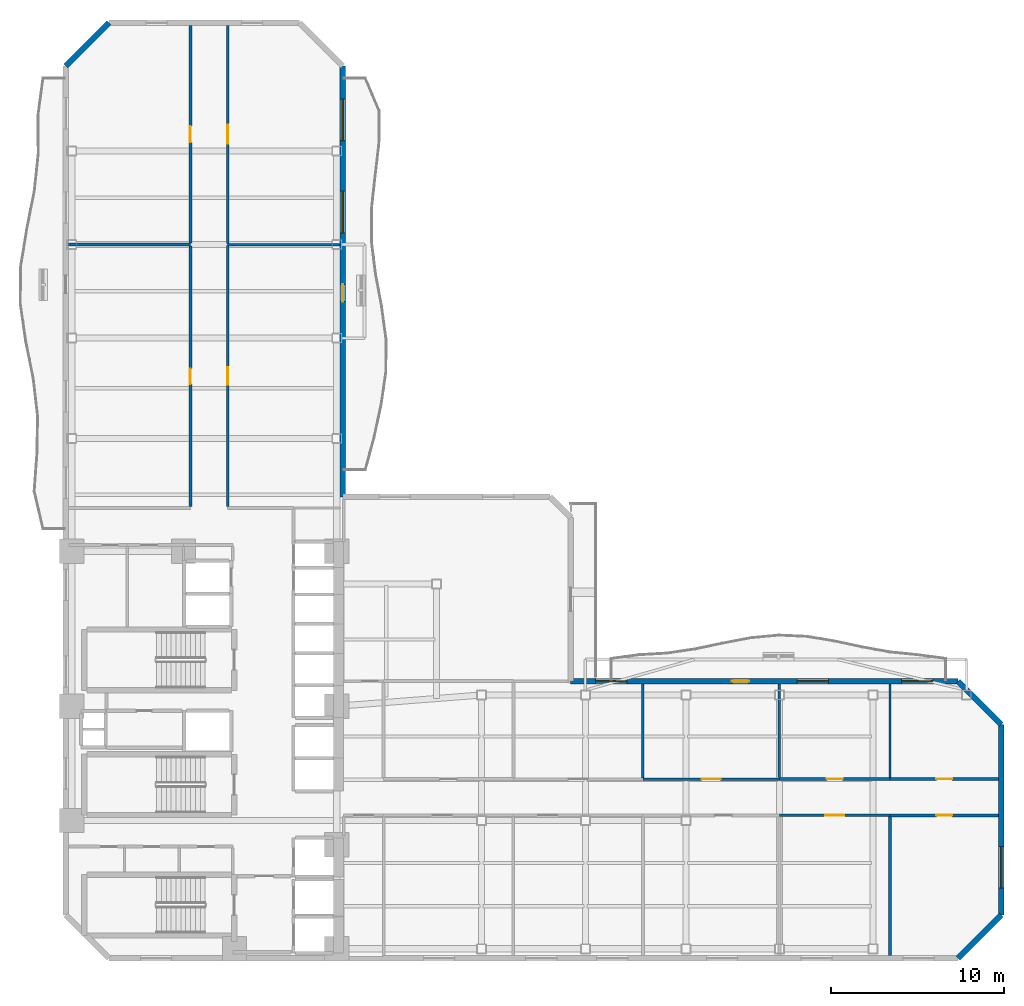
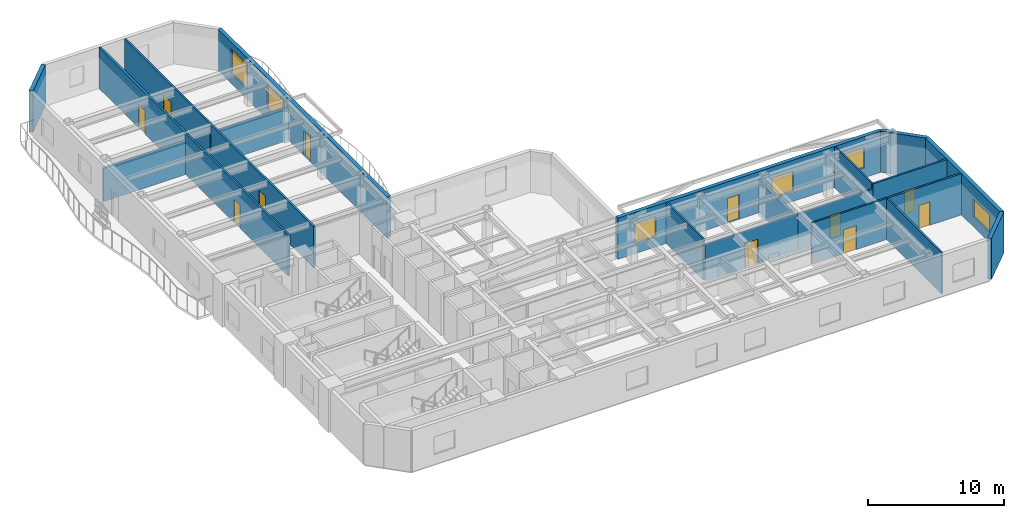
# One storey, part 6 of 10: 21 walls, 11 doors, 6 windows, 17 openings.
"""IFC4 building model written with IfcOpenShell, lengths in metres."""

from ifc_helpers import new_model, si_unit, direction, frame, frame_2d, origin, place, context, subcontext, project, spatial, rectangle, extrude, material, layer, layer_set, type_object, element, fill, save


model = new_model("IFC4")

# Units and contexts
model_context = context("Model", 3, precision=1e-05, world=origin(), true_north=direction((0.0, 1.0)))
body_context = subcontext(model_context, "Body", "Model", "MODEL_VIEW")
ifc_project = project(units=[si_unit("LENGTHUNIT", "METRE"), si_unit("AREAUNIT", "SQUARE_METRE"), si_unit("VOLUMEUNIT", "CUBIC_METRE"), si_unit("PLANEANGLEUNIT", "RADIAN"), si_unit("MASSUNIT", "GRAM", prefix="KILO")], contexts=[model_context])

# Site, building, storey
site_placement = place(None, origin())
site = spatial("IfcSite", under=ifc_project, at=site_placement, CompositionType="ELEMENT")
building_placement = place(site_placement, origin())
building = spatial("IfcBuilding", under=site, at=building_placement, Name="Mawjaban Terraces University", CompositionType="ELEMENT")
storey_placement = place(building_placement, frame((0.0, 0.0, 62.199951171875)))
storey = spatial("IfcBuildingStorey", under=building, at=storey_placement, Name="L14", CompositionType="ELEMENT", Elevation=62.199951171875)

# Wall
ifc_material_1 = material(Name="Acoustic masonry blockwork", Category="masonry")
ifc_layer_1 = layer(ifc_material_1, 0.179931640625)
ifc_layer_set_1 = layer_set([ifc_layer_1], Name="Acoustic masonry blockwork")
wall_type_1 = type_object("IfcWallType", Name="AcousticStudioWall_180", PredefinedType="PARTITIONING", material=ifc_layer_set_1)
wall_1_placement = place(storey_placement, frame((29.199951171875, 41.199951171875, 0.0), z_axis=(0.0, 0.0, 1.0), x_axis=(-1.0, 0.0, 0.0)))
element("IfcWall", 1, at=wall_1_placement, inside=storey, type_object=wall_type_1, Name="L14 Departmental Office 12 Partition 10", PredefinedType="PARTITIONING", context=body_context, shape_type="SweptSolid", body=[
    extrude(rectangle(XDim=7.044921875, YDim=0.179931640625, at=frame_2d((3.5224609375, 0.0))), origin(), (0.0, 0.0, 1.0), 2.9951171875),
])

# Wall, opening, door
wall_2_placement = place(storey_placement, frame((29.199951171875, 53.844970703125, 0.0), z_axis=(0.0, 0.0, 1.0), x_axis=(0.0, -1.0, 0.0)))
wall_2 = element("IfcWall", 2, at=wall_2_placement, inside=storey, type_object=wall_type_1, Name="L14 North Academic Spine Corridor Partition 36", PredefinedType="PARTITIONING", context=body_context, shape_type="SweptSolid", body=[
    extrude(rectangle(XDim=12.56005859375, YDim=0.179931640625, at=frame_2d((6.280029296875, 0.0))), origin(), (0.0, 0.0, 1.0), 3.68994140625),
])
opening_1_placement = place(wall_2_placement, frame((5.804931640625, 0.0, 0.0)))
opening_1 = element("IfcOpeningElement", 3, at=opening_1_placement, cuts=wall_2, Name="Opening ID-095", PredefinedType="OPENING", context=body_context, shape_type="SweptSolid", body=[
    extrude(rectangle(XDim=0.949951171875, YDim=2.10009765625, at=frame_2d((0.47509765625, 1.050048828125))), frame((0.0, 0.099853515625, 0.0), z_axis=(0.0, -1.0, 0.0), x_axis=(1.0, 0.0, 0.0)), (0.0, 0.0, 1.0), 0.199951171875),
])
ifc_material_2 = material(Name="Powder-coated steel frame and solid acoustic timber leaf", Category="steel")
door_type_1 = type_object("IfcDoorType", Name="StudioDoor_950x2100", OperationType="NOTDEFINED", PredefinedType="DOOR", material=ifc_material_2)
door_1_placement = place(opening_1_placement, origin())
door_1 = element("IfcDoor", 4, at=door_1_placement, inside=storey, type_object=door_type_1, Name="L14 Design Studio 14 Door", OperationType="SINGLE_SWING_RIGHT", OverallHeight=2.10009765625, OverallWidth=0.949951171875, PredefinedType="DOOR", context=body_context, shape_type="SweptSolid", body=[
    extrude(rectangle(XDim=0.949951171875, YDim=2.10009765625, at=frame_2d((0.47509765625, 1.050048828125))), frame((0.0, 0.02490234375, 0.0), z_axis=(0.0, -1.0, 0.0), x_axis=(1.0, 0.0, 0.0)), (0.0, 0.0, 1.0), 0.050048828125),
])
fill(opening_1, door_1)

ifc_material_3 = material(Name="Fire-rated gypsum board on steel stud", Category="steel")
ifc_layer_2 = layer(ifc_material_3, 0.159912109375)
ifc_layer_set_2 = layer_set([ifc_layer_2], Name="Fire-rated gypsum board on steel stud")
wall_type_2 = type_object("IfcWallType", Name="CorridorPartition_160", PredefinedType="PARTITIONING", material=ifc_layer_set_2)
wall_3_placement = place(storey_placement, frame((69.580078125, 8.25, 0.0), z_axis=(0.0, 0.0, 1.0), x_axis=(1.0, 0.0, 0.0)))
wall_3 = element("IfcWall", 5, at=wall_3_placement, inside=storey, type_object=wall_type_2, Name="L14 East Academic Spine Corridor Partition 27", PredefinedType="PARTITIONING", context=body_context, shape_type="SweptSolid", body=[
    extrude(rectangle(XDim=6.264892578125, YDim=0.159912109375, at=frame_2d((3.13232421875, 0.0))), origin(), (0.0, 0.0, 1.0), 3.68994140625),
])
opening_2_placement = place(wall_3_placement, frame((2.68310546875, 0.0, 0.0)))
opening_2 = element("IfcOpeningElement", 6, at=opening_2_placement, cuts=wall_3, Name="Opening ID-090", PredefinedType="OPENING", context=body_context, shape_type="SweptSolid", body=[
    extrude(rectangle(XDim=0.89990234375, YDim=2.10009765625, at=frame_2d((0.449951171875, 1.050048828125))), frame((0.0, 0.08984375, 0.0), z_axis=(0.0, -1.0, 0.0), x_axis=(1.0, 0.0, 0.0)), (0.0, 0.0, 1.0), 0.179931640625),
])
door_type_2 = type_object("IfcDoorType", Name="OfficeDoor_900x2100", OperationType="NOTDEFINED", PredefinedType="DOOR", material=ifc_material_2)
door_2_placement = place(opening_2_placement, origin())
door_2 = element("IfcDoor", 7, at=door_2_placement, inside=storey, type_object=door_type_2, Name="L14 Student Tea Pantry 10 Door", OperationType="SINGLE_SWING_RIGHT", OverallHeight=2.10009765625, OverallWidth=0.89990234375, PredefinedType="DOOR", context=body_context, shape_type="SweptSolid", body=[
    extrude(rectangle(XDim=0.89990234375, YDim=2.10009765625, at=frame_2d((0.449951171875, 1.050048828125))), frame((0.0, 0.02490234375, 0.0), z_axis=(0.0, -1.0, 0.0), x_axis=(1.0, 0.0, 0.0)), (0.0, 0.0, 1.0), 0.050048828125),
])
fill(opening_2, door_2)

wall_4_placement = place(storey_placement, frame((69.580078125, 10.35009765625, 0.0), z_axis=(0.0, 0.0, 1.0), x_axis=(-1.0, 0.0, 0.0)))
wall_4 = element("IfcWall", 8, at=wall_4_placement, inside=storey, type_object=wall_type_2, Name="L14 East Academic Spine Corridor Partition 28", PredefinedType="PARTITIONING", context=body_context, shape_type="SweptSolid", body=[
    extrude(rectangle(XDim=6.380126953125, YDim=0.159912109375, at=frame_2d((3.18994140625, 0.0))), origin(), (0.0, 0.0, 1.0), 3.22705078125),
])
opening_3_placement = place(wall_4_placement, frame((2.739990234375, 0.0, 0.0)))
opening_3 = element("IfcOpeningElement", 9, at=opening_3_placement, cuts=wall_4, Name="Opening ID-090", PredefinedType="OPENING", context=body_context, shape_type="SweptSolid", body=[
    extrude(rectangle(XDim=0.89990234375, YDim=2.10009765625, at=frame_2d((0.449951171875, 1.050048828125))), frame((0.0, 0.08984375, 0.0), z_axis=(0.0, -1.0, 0.0), x_axis=(1.0, 0.0, 0.0)), (0.0, 0.0, 1.0), 0.179931640625),
])
door_3_placement = place(opening_3_placement, origin())
door_3 = element("IfcDoor", 10, at=door_3_placement, inside=storey, type_object=door_type_2, Name="L14 Student Tea Pantry 9 Door", OperationType="SINGLE_SWING_LEFT", OverallHeight=2.10009765625, OverallWidth=0.89990234375, PredefinedType="DOOR", context=body_context, shape_type="SweptSolid", body=[
    extrude(rectangle(XDim=0.89990234375, YDim=2.10009765625, at=frame_2d((0.449951171875, 1.050048828125))), frame((0.0, 0.02490234375, 0.0), z_axis=(0.0, -1.0, 0.0), x_axis=(1.0, 0.0, 0.0)), (0.0, 0.0, 1.0), 0.050048828125),
])
fill(opening_3, door_3)

wall_5_placement = place(storey_placement, frame((75.844970703125, 10.35009765625, 0.0), z_axis=(0.0, 0.0, 1.0), x_axis=(-1.0, 0.0, 0.0)))
wall_5 = element("IfcWall", 11, at=wall_5_placement, inside=storey, type_object=wall_type_2, Name="L14 East Academic Spine Corridor Partition 29", PredefinedType="PARTITIONING", context=body_context, shape_type="SweptSolid", body=[
    extrude(rectangle(XDim=6.264892578125, YDim=0.159912109375, at=frame_2d((3.13232421875, 0.0))), origin(), (0.0, 0.0, 1.0), 3.68994140625),
])
opening_4_placement = place(wall_5_placement, frame((2.68310546875, 0.0, 0.0)))
opening_4 = element("IfcOpeningElement", 12, at=opening_4_placement, cuts=wall_5, Name="Opening ID-090", PredefinedType="OPENING", context=body_context, shape_type="SweptSolid", body=[
    extrude(rectangle(XDim=0.89990234375, YDim=2.10009765625, at=frame_2d((0.449951171875, 1.050048828125))), frame((0.0, 0.08984375, 0.0), z_axis=(0.0, -1.0, 0.0), x_axis=(1.0, 0.0, 0.0)), (0.0, 0.0, 1.0), 0.179931640625),
])
door_4_placement = place(opening_4_placement, origin())
door_4 = element("IfcDoor", 13, at=door_4_placement, inside=storey, type_object=door_type_2, Name="L14 Faculty Office 11 Door", OperationType="SINGLE_SWING_LEFT", OverallHeight=2.10009765625, OverallWidth=0.89990234375, PredefinedType="DOOR", context=body_context, shape_type="SweptSolid", body=[
    extrude(rectangle(XDim=0.89990234375, YDim=2.10009765625, at=frame_2d((0.449951171875, 1.050048828125))), frame((0.0, 0.02490234375, 0.0), z_axis=(0.0, -1.0, 0.0), x_axis=(1.0, 0.0, 0.0)), (0.0, 0.0, 1.0), 0.050048828125),
])
fill(opening_4, door_4)

wall_6_placement = place(storey_placement, frame((29.199951171875, 41.114990234375, 0.0), z_axis=(0.0, 0.0, 1.0), x_axis=(0.0, -1.0, 0.0)))
wall_6 = element("IfcWall", 14, at=wall_6_placement, inside=storey, type_object=wall_type_2, Name="L14 North Academic Spine Corridor Partition 35", PredefinedType="PARTITIONING", context=body_context, shape_type="SweptSolid", body=[
    extrude(rectangle(XDim=15.0400390625, YDim=0.159912109375, at=frame_2d((7.52001953125, 0.0))), origin(), (0.0, 0.0, 1.0), 3.68994140625),
])
opening_5_placement = place(wall_6_placement, frame((7.070068359375, 0.0, 0.0)))
opening_5 = element("IfcOpeningElement", 15, at=opening_5_placement, cuts=wall_6, Name="Opening ID-090", PredefinedType="OPENING", context=body_context, shape_type="SweptSolid", body=[
    extrude(rectangle(XDim=0.89990234375, YDim=2.10009765625, at=frame_2d((0.449951171875, 1.050048828125))), frame((0.0, 0.08984375, 0.0), z_axis=(0.0, -1.0, 0.0), x_axis=(1.0, 0.0, 0.0)), (0.0, 0.0, 1.0), 0.179931640625),
])
door_5_placement = place(opening_5_placement, origin())
door_5 = element("IfcDoor", 16, at=door_5_placement, inside=storey, type_object=door_type_2, Name="L14 Departmental Office 12 Door", OperationType="SINGLE_SWING_RIGHT", OverallHeight=2.10009765625, OverallWidth=0.89990234375, PredefinedType="DOOR", context=body_context, shape_type="SweptSolid", body=[
    extrude(rectangle(XDim=0.89990234375, YDim=2.10009765625, at=frame_2d((0.449951171875, 1.050048828125))), frame((0.0, 0.02490234375, 0.0), z_axis=(0.0, -1.0, 0.0), x_axis=(1.0, 0.0, 0.0)), (0.0, 0.0, 1.0), 0.050048828125),
])
fill(opening_5, door_5)

wall_7_placement = place(storey_placement, frame((31.35009765625, 26.074951171875, 0.0), z_axis=(0.0, 0.0, 1.0), x_axis=(0.0, 1.0, 0.0)))
wall_7 = element("IfcWall", 17, at=wall_7_placement, inside=storey, type_object=wall_type_2, Name="L14 North Academic Spine Corridor Partition 37", PredefinedType="PARTITIONING", context=body_context, shape_type="SweptSolid", body=[
    extrude(rectangle(XDim=15.05810546875, YDim=0.159912109375, at=frame_2d((7.529052734375, 0.0))), origin(), (0.0, 0.0, 1.0), 3.68994140625),
])
opening_6_placement = place(wall_7_placement, frame((7.029052734375, 0.0, 0.0)))
opening_6 = element("IfcOpeningElement", 18, at=opening_6_placement, cuts=wall_7, Name="Opening ID-100", PredefinedType="OPENING", context=body_context, shape_type="SweptSolid", body=[
    extrude(rectangle(XDim=1.0, YDim=2.10009765625, at=frame_2d((0.5, 1.050048828125))), frame((0.0, 0.08984375, 0.0), z_axis=(0.0, -1.0, 0.0), x_axis=(1.0, 0.0, 0.0)), (0.0, 0.0, 1.0), 0.179931640625),
])
door_type_3 = type_object("IfcDoorType", Name="ClassroomDoor_1000x2100", OperationType="NOTDEFINED", PredefinedType="DOOR", material=ifc_material_2)
door_6_placement = place(opening_6_placement, origin())
door_6 = element("IfcDoor", 19, at=door_6_placement, inside=storey, type_object=door_type_3, Name="L14 Classroom 13 Door", OperationType="SINGLE_SWING_LEFT", OverallHeight=2.10009765625, OverallWidth=1.0, PredefinedType="DOOR", context=body_context, shape_type="SweptSolid", body=[
    extrude(rectangle(XDim=1.0, YDim=2.10009765625, at=frame_2d((0.5, 1.050048828125))), frame((0.0, 0.02490234375, 0.0), z_axis=(0.0, -1.0, 0.0), x_axis=(1.0, 0.0, 0.0)), (0.0, 0.0, 1.0), 0.050048828125),
])
fill(opening_6, door_6)

# Wall
ifc_material_4 = material(Name="Insulated terracotta rainscreen on concrete backup C40/50", Category="masonry")
ifc_layer_3 = layer(ifc_material_4, 0.320068359375)
ifc_layer_set_3 = layer_set([ifc_layer_3], Name="Insulated terracotta rainscreen on concrete backup C40/50")
wall_type_3 = type_object("IfcWallType", Name="ExtTerracottaWall_320", PredefinedType="SOLIDWALL", material=ifc_layer_set_3)
wall_8_placement = place(storey_placement, frame((73.5, 0.0, 0.0), z_axis=(0.0, 0.0, 1.0), x_axis=(0.707106781187, 0.707106781187, 0.0)))
element("IfcWall", 20, at=wall_8_placement, inside=storey, type_object=wall_type_3, Name="L14 Exterior Terracotta Wall 2", PredefinedType="SOLIDWALL", context=body_context, shape_type="SweptSolid", body=[
    extrude(rectangle(XDim=3.53564453125, YDim=0.320068359375, at=frame_2d((1.767822265625, 0.0))), origin(), (0.0, 0.0, 1.0), 3.68994140625),
])

# Wall, opening, window
wall_9_placement = place(storey_placement, frame((76.0, 2.5, 0.0), z_axis=(0.0, 0.0, 1.0), x_axis=(0.0, 1.0, 0.0)))
wall_9 = element("IfcWall", 21, at=wall_9_placement, inside=storey, type_object=wall_type_3, Name="L14 Exterior Terracotta Wall 3", PredefinedType="SOLIDWALL", context=body_context, shape_type="SweptSolid", body=[
    extrude(rectangle(XDim=11.0, YDim=0.320068359375, at=frame_2d((5.5, 0.0))), origin(), (0.0, 0.0, 1.0), 3.68994140625),
])
opening_7_placement = place(wall_9_placement, frame((1.550048828125, 0.0, 0.89990234375)))
opening_7 = element("IfcOpeningElement", 22, at=opening_7_placement, cuts=wall_9, Name="Opening W-05", PredefinedType="OPENING", context=body_context, shape_type="SweptSolid", body=[
    extrude(rectangle(XDim=2.39990234375, YDim=1.60009765625, at=frame_2d((1.199951171875, 0.800048828125))), frame((0.0, 0.169921875, 0.0), z_axis=(0.0, -1.0, 0.0), x_axis=(1.0, 0.0, 0.0)), (0.0, 0.0, 1.0), 0.340087890625),
])
ifc_material_5 = material(Name="Low-E solar-control double glazing in thermally broken aluminium frame", Category="aluminium")
window_type_1 = type_object("IfcWindowType", Name="Win_2400x1600", PartitioningType="SINGLE_PANEL", PredefinedType="WINDOW", material=ifc_material_5)
window_1_placement = place(opening_7_placement, origin())
window_1 = element("IfcWindow", 23, at=window_1_placement, inside=storey, type_object=window_type_1, Name="L14 Facade Window 3.1", OverallHeight=1.60009765625, OverallWidth=2.39990234375, PartitioningType="SINGLE_PANEL", PredefinedType="WINDOW", context=body_context, shape_type="SweptSolid", body=[
    extrude(rectangle(XDim=2.39990234375, YDim=1.60009765625, at=frame_2d((1.199951171875, 0.800048828125))), frame((0.0, 0.030029296875, 0.0), z_axis=(0.0, -1.0, 0.0), x_axis=(1.0, 0.0, 0.0)), (0.0, 0.0, 1.0), 0.06005859375),
])
fill(opening_7, window_1)

# Wall
wall_10_placement = place(storey_placement, frame((76.0, 13.5, 0.0), z_axis=(0.0, 0.0, 1.0), x_axis=(-0.707106781187, 0.707106781187, 0.0)))
element("IfcWall", 24, at=wall_10_placement, inside=storey, type_object=wall_type_3, Name="L14 Exterior Terracotta Wall 4", PredefinedType="SOLIDWALL", context=body_context, shape_type="SweptSolid", body=[
    extrude(rectangle(XDim=3.53564453125, YDim=0.320068359375, at=frame_2d((1.767822265625, 0.0))), origin(), (0.0, 0.0, 1.0), 3.68994140625),
])

# Wall, openings, door, windows
wall_11_placement = place(storey_placement, frame((73.5, 16.0, 0.0), z_axis=(0.0, 0.0, 1.0), x_axis=(-1.0, 0.0, 0.0)))
wall_11 = element("IfcWall", 25, at=wall_11_placement, inside=storey, type_object=wall_type_3, Name="L14 Exterior Terracotta Wall 5", PredefinedType="SOLIDWALL", context=body_context, shape_type="SweptSolid", body=[
    extrude(rectangle(XDim=22.35009765625, YDim=0.320068359375, at=frame_2d((11.175048828125, 0.0))), origin(), (0.0, 0.0, 1.0), 3.68994140625),
])
opening_8_placement = place(wall_11_placement, frame((12.050048828125, 0.0, 0.0)))
opening_8 = element("IfcOpeningElement", 26, at=opening_8_placement, cuts=wall_11, Name="Opening BD-100", PredefinedType="OPENING", context=body_context, shape_type="SweptSolid", body=[
    extrude(rectangle(XDim=1.0, YDim=2.199951171875, at=frame_2d((0.5, 1.10009765625))), frame((0.0, 0.169921875, 0.0), z_axis=(0.0, -1.0, 0.0), x_axis=(1.0, 0.0, 0.0)), (0.0, 0.0, 1.0), 0.340087890625),
])
opening_9_placement = place(wall_11_placement, frame((1.444091796875, 0.0, 0.89990234375)))
opening_9 = element("IfcOpeningElement", 27, at=opening_9_placement, cuts=wall_11, Name="Opening W-07", PredefinedType="OPENING", context=body_context, shape_type="SweptSolid", body=[
    extrude(rectangle(XDim=1.800048828125, YDim=1.800048828125, at=frame_2d((0.89990234375, 0.89990234375))), frame((0.0, 0.169921875, 0.0), z_axis=(0.0, -1.0, 0.0), x_axis=(1.0, 0.0, 0.0)), (0.0, 0.0, 1.0), 0.340087890625),
])
opening_10_placement = place(wall_11_placement, frame((7.48095703125, 0.0, 0.89990234375)))
opening_10 = element("IfcOpeningElement", 28, at=opening_10_placement, cuts=wall_11, Name="Opening W-07", PredefinedType="OPENING", context=body_context, shape_type="SweptSolid", body=[
    extrude(rectangle(XDim=1.800048828125, YDim=1.800048828125, at=frame_2d((0.89990234375, 0.89990234375))), frame((0.0, 0.169921875, 0.0), z_axis=(0.0, -1.0, 0.0), x_axis=(1.0, 0.0, 0.0)), (0.0, 0.0, 1.0), 0.340087890625),
])
opening_11_placement = place(wall_11_placement, frame((19.10595703125, 0.0, 0.89990234375)))
opening_11 = element("IfcOpeningElement", 29, at=opening_11_placement, cuts=wall_11, Name="Opening W-07", PredefinedType="OPENING", context=body_context, shape_type="SweptSolid", body=[
    extrude(rectangle(XDim=1.800048828125, YDim=1.800048828125, at=frame_2d((0.89990234375, 0.89990234375))), frame((0.0, 0.169921875, 0.0), z_axis=(0.0, -1.0, 0.0), x_axis=(1.0, 0.0, 0.0)), (0.0, 0.0, 1.0), 0.340087890625),
])
ifc_material_6 = material(Name="Thermally broken anodised aluminium and laminated safety glass", Category="aluminium")
door_type_4 = type_object("IfcDoorType", Name="BalconyGlazedDoor_1000x2200", OperationType="NOTDEFINED", PredefinedType="DOOR", material=ifc_material_6)
door_7_placement = place(opening_8_placement, origin())
door_7 = element("IfcDoor", 30, at=door_7_placement, inside=storey, type_object=door_type_4, Name="L14 Balcony Access Door inner_north", OperationType="SINGLE_SWING_LEFT", OverallHeight=2.199951171875, OverallWidth=1.0, PredefinedType="DOOR", context=body_context, shape_type="SweptSolid", body=[
    extrude(rectangle(XDim=1.0, YDim=2.199951171875, at=frame_2d((0.5, 1.10009765625))), frame((0.0, 0.02490234375, 0.0), z_axis=(0.0, -1.0, 0.0), x_axis=(1.0, 0.0, 0.0)), (0.0, 0.0, 1.0), 0.050048828125),
])
fill(opening_8, door_7)
window_type_2 = type_object("IfcWindowType", Name="Win_1800x1800", PartitioningType="SINGLE_PANEL", PredefinedType="WINDOW", material=ifc_material_5)
window_2_placement = place(opening_9_placement, origin())
window_2 = element("IfcWindow", 31, at=window_2_placement, inside=storey, type_object=window_type_2, Name="L14 Facade Window 5.1", OverallHeight=1.800048828125, OverallWidth=1.800048828125, PartitioningType="SINGLE_PANEL", PredefinedType="WINDOW", context=body_context, shape_type="SweptSolid", body=[
    extrude(rectangle(XDim=1.800048828125, YDim=1.800048828125, at=frame_2d((0.89990234375, 0.89990234375))), frame((0.0, 0.030029296875, 0.0), z_axis=(0.0, -1.0, 0.0), x_axis=(1.0, 0.0, 0.0)), (0.0, 0.0, 1.0), 0.06005859375),
])
fill(opening_9, window_2)
window_3_placement = place(opening_10_placement, origin())
window_3 = element("IfcWindow", 32, at=window_3_placement, inside=storey, type_object=window_type_2, Name="L14 Facade Window 5.2", OverallHeight=1.800048828125, OverallWidth=1.800048828125, PartitioningType="SINGLE_PANEL", PredefinedType="WINDOW", context=body_context, shape_type="SweptSolid", body=[
    extrude(rectangle(XDim=1.800048828125, YDim=1.800048828125, at=frame_2d((0.89990234375, 0.89990234375))), frame((0.0, 0.030029296875, 0.0), z_axis=(0.0, -1.0, 0.0), x_axis=(1.0, 0.0, 0.0)), (0.0, 0.0, 1.0), 0.06005859375),
])
fill(opening_10, window_3)
window_4_placement = place(opening_11_placement, origin())
window_4 = element("IfcWindow", 33, at=window_4_placement, inside=storey, type_object=window_type_2, Name="L14 Facade Window 5.4", OverallHeight=1.800048828125, OverallWidth=1.800048828125, PartitioningType="SINGLE_PANEL", PredefinedType="WINDOW", context=body_context, shape_type="SweptSolid", body=[
    extrude(rectangle(XDim=1.800048828125, YDim=1.800048828125, at=frame_2d((0.89990234375, 0.89990234375))), frame((0.0, 0.030029296875, 0.0), z_axis=(0.0, -1.0, 0.0), x_axis=(1.0, 0.0, 0.0)), (0.0, 0.0, 1.0), 0.06005859375),
])
fill(opening_11, window_4)

wall_12_placement = place(storey_placement, frame((38.0, 26.64208984375, 0.0), z_axis=(0.0, 0.0, 1.0), x_axis=(0.0, 1.0, 0.0)))
wall_12 = element("IfcWall", 34, at=wall_12_placement, inside=storey, type_object=wall_type_3, Name="L14 Exterior Terracotta Wall 9", PredefinedType="SOLIDWALL", context=body_context, shape_type="SweptSolid", body=[
    extrude(rectangle(XDim=24.85791015625, YDim=0.320068359375, at=frame_2d((12.428955078125, 0.0))), origin(), (0.0, 0.0, 1.0), 3.68994140625),
])
opening_12_placement = place(wall_12_placement, frame((11.256103515625, 0.0, 0.0)))
opening_12 = element("IfcOpeningElement", 35, at=opening_12_placement, cuts=wall_12, Name="Opening BD-100", PredefinedType="OPENING", context=body_context, shape_type="SweptSolid", body=[
    extrude(rectangle(XDim=1.0, YDim=2.199951171875, at=frame_2d((0.5, 1.10009765625))), frame((0.0, 0.169921875, 0.0), z_axis=(0.0, -1.0, 0.0), x_axis=(1.0, 0.0, 0.0)), (0.0, 0.0, 1.0), 0.340087890625),
])
opening_13_placement = place(wall_12_placement, frame((15.236083984375, 0.0, 0.89990234375)))
opening_13 = element("IfcOpeningElement", 36, at=opening_13_placement, cuts=wall_12, Name="Opening W-11", PredefinedType="OPENING", context=body_context, shape_type="SweptSolid", body=[
    extrude(rectangle(XDim=2.39990234375, YDim=2.199951171875, at=frame_2d((1.199951171875, 1.10009765625))), frame((0.0, 0.169921875, 0.0), z_axis=(0.0, -1.0, 0.0), x_axis=(1.0, 0.0, 0.0)), (0.0, 0.0, 1.0), 0.340087890625),
])
opening_14_placement = place(wall_12_placement, frame((20.551025390625, 0.0, 0.89990234375)))
opening_14 = element("IfcOpeningElement", 37, at=opening_14_placement, cuts=wall_12, Name="Opening W-11", PredefinedType="OPENING", context=body_context, shape_type="SweptSolid", body=[
    extrude(rectangle(XDim=2.39990234375, YDim=2.199951171875, at=frame_2d((1.199951171875, 1.10009765625))), frame((0.0, 0.169921875, 0.0), z_axis=(0.0, -1.0, 0.0), x_axis=(1.0, 0.0, 0.0)), (0.0, 0.0, 1.0), 0.340087890625),
])
door_8_placement = place(opening_12_placement, origin())
door_8 = element("IfcDoor", 38, at=door_8_placement, inside=storey, type_object=door_type_4, Name="L14 Balcony Access Door inner_east", OperationType="SINGLE_SWING_LEFT", OverallHeight=2.199951171875, OverallWidth=1.0, PredefinedType="DOOR", context=body_context, shape_type="SweptSolid", body=[
    extrude(rectangle(XDim=1.0, YDim=2.199951171875, at=frame_2d((0.5, 1.10009765625))), frame((0.0, 0.02490234375, 0.0), z_axis=(0.0, -1.0, 0.0), x_axis=(1.0, 0.0, 0.0)), (0.0, 0.0, 1.0), 0.050048828125),
])
fill(opening_12, door_8)
window_type_3 = type_object("IfcWindowType", Name="Win_2400x2200", PartitioningType="SINGLE_PANEL", PredefinedType="WINDOW", material=ifc_material_5)
window_5_placement = place(opening_13_placement, origin())
window_5 = element("IfcWindow", 39, at=window_5_placement, inside=storey, type_object=window_type_3, Name="L14 Facade Window 9.3", OverallHeight=2.199951171875, OverallWidth=2.39990234375, PartitioningType="SINGLE_PANEL", PredefinedType="WINDOW", context=body_context, shape_type="SweptSolid", body=[
    extrude(rectangle(XDim=2.39990234375, YDim=2.199951171875, at=frame_2d((1.199951171875, 1.10009765625))), frame((0.0, 0.030029296875, 0.0), z_axis=(0.0, -1.0, 0.0), x_axis=(1.0, 0.0, 0.0)), (0.0, 0.0, 1.0), 0.06005859375),
])
fill(opening_13, window_5)
window_6_placement = place(opening_14_placement, origin())
window_6 = element("IfcWindow", 40, at=window_6_placement, inside=storey, type_object=window_type_3, Name="L14 Facade Window 9.4", OverallHeight=2.199951171875, OverallWidth=2.39990234375, PartitioningType="SINGLE_PANEL", PredefinedType="WINDOW", context=body_context, shape_type="SweptSolid", body=[
    extrude(rectangle(XDim=2.39990234375, YDim=2.199951171875, at=frame_2d((1.199951171875, 1.10009765625))), frame((0.0, 0.030029296875, 0.0), z_axis=(0.0, -1.0, 0.0), x_axis=(1.0, 0.0, 0.0)), (0.0, 0.0, 1.0), 0.06005859375),
])
fill(opening_14, window_6)

# Walls
wall_13_placement = place(storey_placement, frame((24.5, 54.0, 0.0), z_axis=(0.0, 0.0, 1.0), x_axis=(-0.707106781187, -0.707106781187, 0.0)))
element("IfcWall", 41, at=wall_13_placement, inside=storey, type_object=wall_type_3, Name="L14 Exterior Terracotta Wall 12", PredefinedType="SOLIDWALL", context=body_context, shape_type="SweptSolid", body=[
    extrude(rectangle(XDim=3.53564453125, YDim=0.320068359375, at=frame_2d((1.767822265625, 0.0))), origin(), (0.0, 0.0, 1.0), 3.68994140625),
])
ifc_material_7 = material(Name="Moisture-resistant gypsum board on steel stud", Category="steel")
ifc_layer_4 = layer(ifc_material_7, 0.14501953125)
ifc_layer_set_4 = layer_set([ifc_layer_4], Name="Moisture-resistant gypsum board on steel stud")
wall_type_4 = type_object("IfcWallType", Name="LabPartition_145", PredefinedType="PARTITIONING", material=ifc_layer_set_4)
wall_14_placement = place(storey_placement, frame((37.844970703125, 41.199951171875, 0.0), z_axis=(0.0, 0.0, 1.0), x_axis=(-1.0, 0.0, 0.0)))
element("IfcWall", 42, at=wall_14_placement, inside=storey, type_object=wall_type_4, Name="L14 Classroom 13 Partition 15", PredefinedType="PARTITIONING", context=body_context, shape_type="SweptSolid", body=[
    extrude(rectangle(XDim=6.494873046875, YDim=0.14501953125, at=frame_2d((3.24755859375, 0.0))), origin(), (0.0, 0.0, 1.0), 2.9951171875),
])

# Wall, opening, door
wall_15_placement = place(storey_placement, frame((63.199951171875, 8.25, 0.0), z_axis=(0.0, 0.0, 1.0), x_axis=(1.0, 0.0, 0.0)))
wall_15 = element("IfcWall", 43, at=wall_15_placement, inside=storey, type_object=wall_type_4, Name="L14 East Academic Spine Corridor Partition 25", PredefinedType="PARTITIONING", context=body_context, shape_type="SweptSolid", body=[
    extrude(rectangle(XDim=6.380126953125, YDim=0.14501953125, at=frame_2d((3.18994140625, 0.0))), origin(), (0.0, 0.0, 1.0), 3.68994140625),
])
opening_15_placement = place(wall_15_placement, frame((2.639892578125, 0.0, 0.0)))
opening_15 = element("IfcOpeningElement", 44, at=opening_15_placement, cuts=wall_15, Name="Opening ID-110", PredefinedType="OPENING", context=body_context, shape_type="SweptSolid", body=[
    extrude(rectangle(XDim=1.10009765625, YDim=2.14990234375, at=frame_2d((0.550048828125, 1.074951171875))), frame((0.0, 0.08251953125, 0.0), z_axis=(0.0, -1.0, 0.0), x_axis=(1.0, 0.0, 0.0)), (0.0, 0.0, 1.0), 0.1650390625),
])
door_type_5 = type_object("IfcDoorType", Name="LabDoor_1100x2150", OperationType="NOTDEFINED", PredefinedType="DOOR", material=ifc_material_2)
door_9_placement = place(opening_15_placement, origin())
door_9 = element("IfcDoor", 45, at=door_9_placement, inside=storey, type_object=door_type_5, Name="L14 Teaching Laboratory 8 Door", OperationType="SINGLE_SWING_RIGHT", OverallHeight=2.14990234375, OverallWidth=1.10009765625, PredefinedType="DOOR", context=body_context, shape_type="SweptSolid", body=[
    extrude(rectangle(XDim=1.10009765625, YDim=2.14990234375, at=frame_2d((0.550048828125, 1.074951171875))), frame((0.0, 0.02490234375, 0.0), z_axis=(0.0, -1.0, 0.0), x_axis=(1.0, 0.0, 0.0)), (0.0, 0.0, 1.0), 0.050048828125),
])
fill(opening_15, door_9)

wall_16_placement = place(storey_placement, frame((63.199951171875, 10.35009765625, 0.0), z_axis=(0.0, 0.0, 1.0), x_axis=(-1.0, 0.0, 0.0)))
wall_16 = element("IfcWall", 46, at=wall_16_placement, inside=storey, type_object=wall_type_4, Name="L14 East Academic Spine Corridor Partition 26", PredefinedType="PARTITIONING", context=body_context, shape_type="SweptSolid", body=[
    extrude(rectangle(XDim=7.8798828125, YDim=0.14501953125, at=frame_2d((3.93994140625, 0.0))), origin(), (0.0, 0.0, 1.0), 3.22705078125),
])
opening_16_placement = place(wall_16_placement, frame((3.389892578125, 0.0, 0.0)))
opening_16 = element("IfcOpeningElement", 47, at=opening_16_placement, cuts=wall_16, Name="Opening ID-110", PredefinedType="OPENING", context=body_context, shape_type="SweptSolid", body=[
    extrude(rectangle(XDim=1.10009765625, YDim=2.14990234375, at=frame_2d((0.550048828125, 1.074951171875))), frame((0.0, 0.08251953125, 0.0), z_axis=(0.0, -1.0, 0.0), x_axis=(1.0, 0.0, 0.0)), (0.0, 0.0, 1.0), 0.1650390625),
])
door_10_placement = place(opening_16_placement, origin())
door_10 = element("IfcDoor", 48, at=door_10_placement, inside=storey, type_object=door_type_5, Name="L14 Computational Laboratory 7 Door", OperationType="SINGLE_SWING_LEFT", OverallHeight=2.14990234375, OverallWidth=1.10009765625, PredefinedType="DOOR", context=body_context, shape_type="SweptSolid", body=[
    extrude(rectangle(XDim=1.10009765625, YDim=2.14990234375, at=frame_2d((0.550048828125, 1.074951171875))), frame((0.0, 0.02490234375, 0.0), z_axis=(0.0, -1.0, 0.0), x_axis=(1.0, 0.0, 0.0)), (0.0, 0.0, 1.0), 0.050048828125),
])
fill(opening_16, door_10)

wall_17_placement = place(storey_placement, frame((31.35009765625, 41.26806640625, 0.0), z_axis=(0.0, 0.0, 1.0), x_axis=(0.0, 1.0, 0.0)))
wall_17 = element("IfcWall", 49, at=wall_17_placement, inside=storey, type_object=wall_type_4, Name="L14 North Academic Spine Corridor Partition 38", PredefinedType="PARTITIONING", context=body_context, shape_type="SweptSolid", body=[
    extrude(rectangle(XDim=12.576904296875, YDim=0.14501953125, at=frame_2d((6.28857421875, 0.0))), origin(), (0.0, 0.0, 1.0), 3.68994140625),
])
opening_17_placement = place(wall_17_placement, frame((5.738037109375, 0.0, 0.0)))
opening_17 = element("IfcOpeningElement", 50, at=opening_17_placement, cuts=wall_17, Name="Opening ID-110", PredefinedType="OPENING", context=body_context, shape_type="SweptSolid", body=[
    extrude(rectangle(XDim=1.10009765625, YDim=2.14990234375, at=frame_2d((0.550048828125, 1.074951171875))), frame((0.0, 0.08251953125, 0.0), z_axis=(0.0, -1.0, 0.0), x_axis=(1.0, 0.0, 0.0)), (0.0, 0.0, 1.0), 0.1650390625),
])
door_11_placement = place(opening_17_placement, origin())
door_11 = element("IfcDoor", 51, at=door_11_placement, inside=storey, type_object=door_type_5, Name="L14 Computational Laboratory 15 Door", OperationType="SINGLE_SWING_LEFT", OverallHeight=2.14990234375, OverallWidth=1.10009765625, PredefinedType="DOOR", context=body_context, shape_type="SweptSolid", body=[
    extrude(rectangle(XDim=1.10009765625, YDim=2.14990234375, at=frame_2d((0.550048828125, 1.074951171875))), frame((0.0, 0.02490234375, 0.0), z_axis=(0.0, -1.0, 0.0), x_axis=(1.0, 0.0, 0.0)), (0.0, 0.0, 1.0), 0.050048828125),
])
fill(opening_17, door_11)

# Walls
wall_18_placement = place(storey_placement, frame((55.320068359375, 10.41796875, 0.0), z_axis=(0.0, 0.0, 1.0), x_axis=(0.0, 1.0, 0.0)))
element("IfcWall", 52, at=wall_18_placement, inside=storey, type_object=wall_type_4, Name="L14 Teaching Laboratory 5 Partition 49", PredefinedType="PARTITIONING", context=body_context, shape_type="SweptSolid", body=[
    extrude(rectangle(XDim=5.427001953125, YDim=0.14501953125, at=frame_2d((2.71337890625, 0.0))), origin(), (0.0, 0.0, 1.0), 3.68994140625),
])
wall_19_placement = place(storey_placement, frame((63.199951171875, 10.425048828125, 0.0), z_axis=(0.0, 0.0, 1.0), x_axis=(0.0, 1.0, 0.0)))
element("IfcWall", 53, at=wall_19_placement, inside=storey, type_object=wall_type_4, Name="L14 Computational Laboratory 7 Partition 51", PredefinedType="PARTITIONING", context=body_context, shape_type="SweptSolid", body=[
    extrude(rectangle(XDim=5.419921875, YDim=0.14501953125, at=frame_2d((2.7099609375, 0.0))), origin(), (0.0, 0.0, 1.0), 2.9951171875),
])
wall_20_placement = place(storey_placement, frame((69.580078125, 0.155029296875, 0.0), z_axis=(0.0, 0.0, 1.0), x_axis=(0.0, 1.0, 0.0)))
element("IfcWall", 54, at=wall_20_placement, inside=storey, type_object=wall_type_4, Name="L14 Teaching Laboratory 8 Partition 52", PredefinedType="PARTITIONING", context=body_context, shape_type="SweptSolid", body=[
    extrude(rectangle(XDim=8.02001953125, YDim=0.14501953125, at=frame_2d((4.010009765625, 0.0))), origin(), (0.0, 0.0, 1.0), 3.68994140625),
])
ifc_material_8 = material(Name="Gypsum plasterboard on steel stud", Category="steel")
ifc_layer_5 = layer(ifc_material_8, 0.125)
ifc_layer_set_5 = layer_set([ifc_layer_5], Name="Gypsum plasterboard on steel stud")
wall_type_5 = type_object("IfcWallType", Name="OfficePartition_125", PredefinedType="PARTITIONING", material=ifc_layer_set_5)
wall_21_placement = place(storey_placement, frame((69.580078125, 10.425048828125, 0.0), z_axis=(0.0, 0.0, 1.0), x_axis=(0.0, 1.0, 0.0)))
element("IfcWall", 55, at=wall_21_placement, inside=storey, type_object=wall_type_5, Name="L14 Student Tea Pantry 9 Partition 53", PredefinedType="PARTITIONING", context=body_context, shape_type="SweptSolid", body=[
    extrude(rectangle(XDim=5.419921875, YDim=0.125, at=frame_2d((2.7099609375, 0.0))), origin(), (0.0, 0.0, 1.0), 3.68994140625),
])

save(model, "model.ifc")
